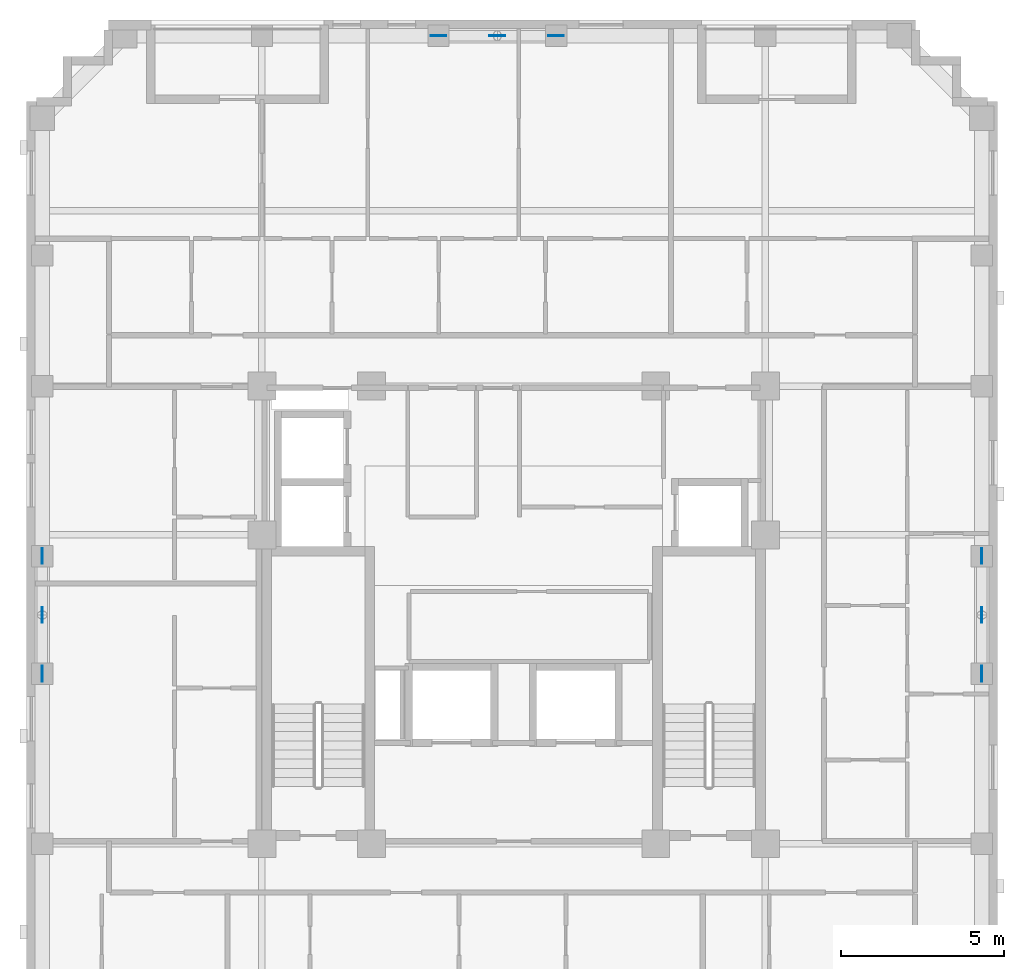
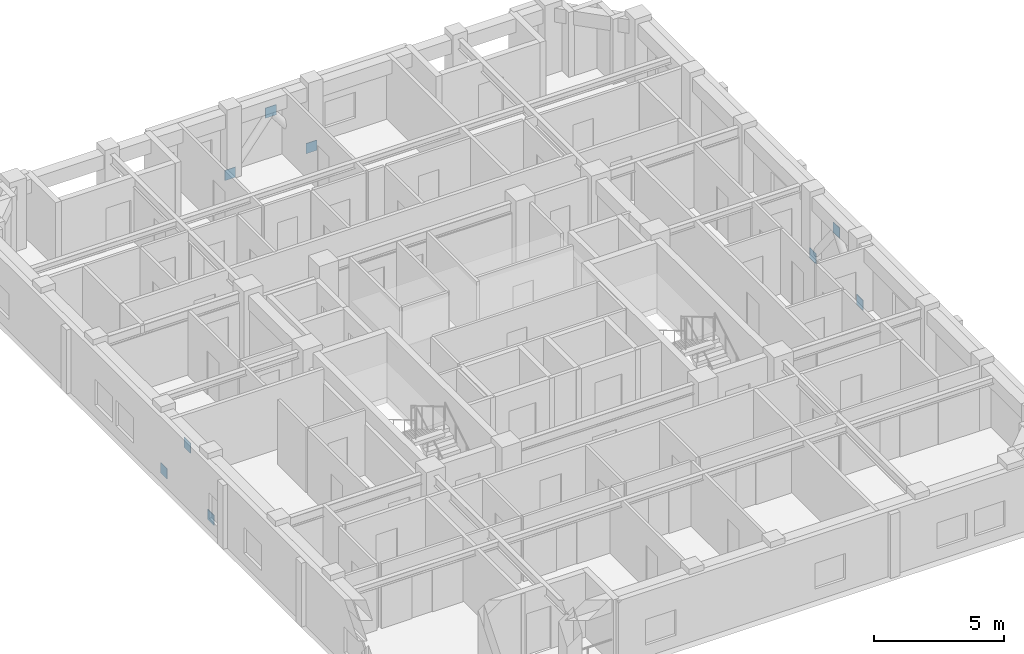
# One storey, part 8 of 10: 9 discrete accessories.
"""IFC4 building model written with IfcOpenShell, lengths in metres."""

from ifc_helpers import new_model, si_unit, derived_unit, direction, frame, origin, origin_2d, place, context, subcontext, project, spatial, rectangle, extrude, material, layer, layer_set, type_object, element, save


model = new_model("IFC4")

# Units and contexts
model_context = context("Model", 3, precision=1e-05, world=origin(), true_north=direction((0.0, 1.0)))
body_context = subcontext(model_context, "Body", "Model", "MODEL_VIEW")
ifc_project = project(units=[si_unit("LENGTHUNIT", "METRE"), si_unit("AREAUNIT", "SQUARE_METRE"), si_unit("VOLUMEUNIT", "CUBIC_METRE"), si_unit("PLANEANGLEUNIT", "RADIAN"), si_unit("MASSUNIT", "GRAM", prefix="KILO"), derived_unit("THERMALTRANSMITTANCEUNIT", [(si_unit("MASSUNIT", "GRAM", prefix="KILO"), 1), (si_unit("TIMEUNIT", "SECOND"), -3), (si_unit("THERMODYNAMICTEMPERATUREUNIT", "KELVIN"), -1)])], contexts=[model_context])

# Site, building, storey
site_placement = place(None, origin())
site = spatial("IfcSite", under=ifc_project, at=site_placement, CompositionType="ELEMENT")
building_placement = place(site_placement, origin())
building = spatial("IfcBuilding", under=site, at=building_placement, Name="Korrvale Station Residences", CompositionType="ELEMENT")
storey_placement = place(building_placement, frame((0.0, 0.0, 207.39990234375)))
storey = spatial("IfcBuildingStorey", under=building, at=storey_placement, Name="L60", CompositionType="ELEMENT", Elevation=207.39990234375)

# Discrete accessories
ifc_material = material(Name="Steel S355", Category="steel")
ifc_layer = layer(ifc_material, 0.02490234375, Name="Steel S355")
ifc_layer_set = layer_set([ifc_layer], Name="Steel S355")
discrete_accessory_type = type_object("IfcDiscreteAccessoryType", Name="ACC-GUSSET-25", PredefinedType="BRACKET", material=ifc_layer_set)
for number, where, z_axis, x_axis, name in (
    (1, (23.199951171875, 39.719970703125, -0.219970703125), (0.0, 0.0, 1.0), (1.0, 0.0, 0.0), "L60 N Brace End Gusset Connection A"),
    (2, (26.800048828125, 39.719970703125, -0.219970703125), (0.0, 0.0, 1.0), (1.0, 0.0, 0.0), "L60 N Brace End Gusset Connection B"),
    (3, (25.0, 39.719970703125, 2.070068359375), (0.0, 0.0, 1.0), (1.0, 0.0, 0.0), "L60 N Brace End Gusset Connection M"),
    (4, (11.080078125, 20.199951171875, -0.219970703125), (0.0, 0.0, 1.0), (0.0, 1.0, 0.0), "L60 W Brace End Gusset Connection A"),
    (5, (11.080078125, 23.800048828125, -0.219970703125), (0.0, 0.0, 1.0), (0.0, 1.0, 0.0), "L60 W Brace End Gusset Connection B"),
    (6, (11.080078125, 22.0, 2.070068359375), (0.0, 0.0, 1.0), (0.0, 1.0, 0.0), "L60 W Brace End Gusset Connection M"),
    (7, (39.820068359375, 20.199951171875, -0.219970703125), (0.0, 0.0, 1.0), (0.0, 1.0, 0.0), "L60 E Brace End Gusset Connection A"),
    (8, (39.820068359375, 23.800048828125, -0.219970703125), (0.0, 0.0, 1.0), (0.0, 1.0, 0.0), "L60 E Brace End Gusset Connection B"),
    (9, (39.820068359375, 22.0, 2.070068359375), (0.0, 0.0, 1.0), (0.0, 1.0, 0.0), "L60 E Brace End Gusset Connection M"),
):
    element("IfcDiscreteAccessory", number, at=place(storey_placement, frame(where, z_axis=z_axis, x_axis=x_axis)), inside=storey, type_object=discrete_accessory_type, Name=name, PredefinedType="BRACKET", context=body_context, shape_type="SweptSolid", body=[
        extrude(rectangle(XDim=0.47998046875, YDim=0.02490234375, at=origin_2d()), origin(), (0.0, 0.0, 1.0), 0.47998046875),
    ])

save(model, "model.ifc")
